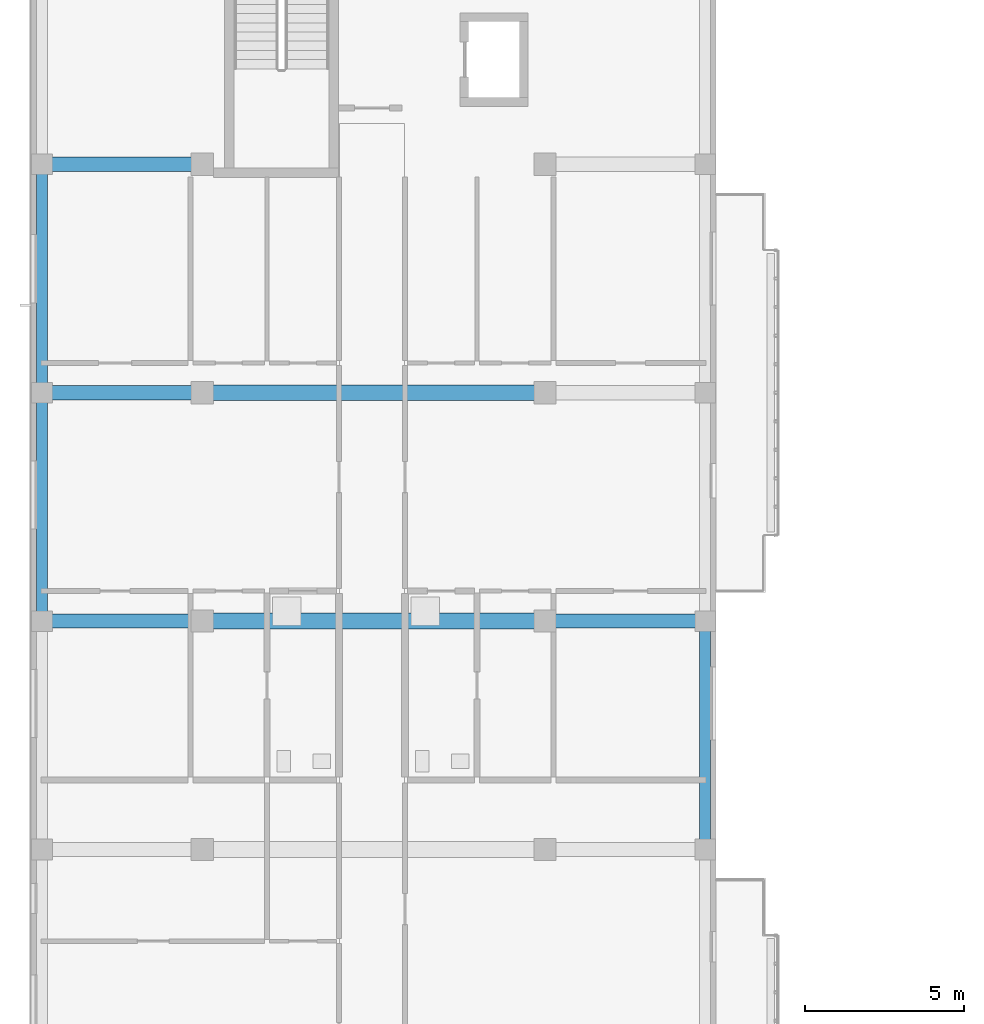
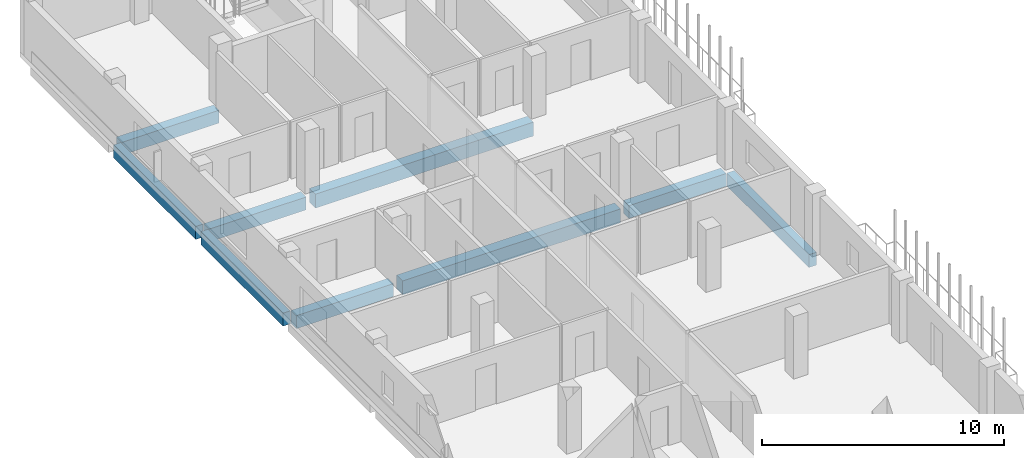
# One storey, part 12 of 51: 9 beams.
"""IFC4 building model written with IfcOpenShell, lengths in metres."""

from ifc_helpers import new_model, si_unit, derived_unit, direction, frame, origin, origin_2d, place, context, subcontext, project, spatial, rectangle, extrude, material, material_profile, profile_set, type_object, element, save


model = new_model("IFC4")

# Units and contexts
model_context = context("Model", 3, precision=1e-05, world=origin(), true_north=direction((0.0, 1.0)))
body_context = subcontext(model_context, "Body", "Model", "MODEL_VIEW")
ifc_project = project(units=[si_unit("LENGTHUNIT", "METRE"), si_unit("AREAUNIT", "SQUARE_METRE"), si_unit("VOLUMEUNIT", "CUBIC_METRE"), si_unit("PLANEANGLEUNIT", "RADIAN"), si_unit("MASSUNIT", "GRAM", prefix="KILO"), derived_unit("THERMALTRANSMITTANCEUNIT", [(si_unit("MASSUNIT", "GRAM", prefix="KILO"), 1), (si_unit("TIMEUNIT", "SECOND"), -3), (si_unit("THERMODYNAMICTEMPERATUREUNIT", "KELVIN"), -1)])], contexts=[model_context])

# Site, building, storey
site_placement = place(None, origin())
site = spatial("IfcSite", under=ifc_project, at=site_placement, CompositionType="ELEMENT")
building_placement = place(site_placement, origin())
building = spatial("IfcBuilding", under=site, at=building_placement, Name="Ochrekiln Boulevard Commons", CompositionType="ELEMENT")
storey_placement = place(building_placement, frame((0.0, 0.0, 18.375)))
storey = spatial("IfcBuildingStorey", under=building, at=storey_placement, Name="L05", CompositionType="ELEMENT", Elevation=18.375)

# Beams
ifc_material_1 = material(Name="Concrete C35/45", Category="concrete")
ifc_material_profile_1 = material_profile(ifc_material_1, rectangle(XDim=0.449951171875, YDim=0.64990234375, at=origin_2d()), Name="RC-BM-450x650")
ifc_profile_set_1 = profile_set([ifc_material_profile_1], Name="Concrete C35/45")
beam_type_1 = type_object("IfcBeamType", Name="BM-RC-450x650", PredefinedType="BEAM", material=ifc_profile_set_1)
beam_1_placement = place(storey_placement, frame((0.56005859375, 97.199951171875, -0.5849609375), z_axis=(1.0, 0.0, 0.0), x_axis=(0.0, 1.0, 0.0)))
element("IfcBeam", 1, at=beam_1_placement, inside=storey, type_object=beam_type_1, Name="Block A L05 Beam B-4565 X12", PredefinedType="BEAM", context=body_context, shape_type="SweptSolid", body=[
    extrude(rectangle(XDim=0.449951171875, YDim=0.64990234375, at=origin_2d()), origin(), (0.0, 0.0, 1.0), 4.6298828125),
])
beam_2_placement = place(storey_placement, frame((16.409912109375, 97.199951171875, -0.5849609375), z_axis=(1.0, 0.0, 0.0), x_axis=(0.0, 1.0, 0.0)))
element("IfcBeam", 2, at=beam_2_placement, inside=storey, type_object=beam_type_1, Name="Block A L05 Beam B-4565 X14", PredefinedType="BEAM", context=body_context, shape_type="SweptSolid", body=[
    extrude(rectangle(XDim=0.449951171875, YDim=0.64990234375, at=origin_2d()), origin(), (0.0, 0.0, 1.0), 4.630126953125),
])
for number, where, z_axis, x_axis, name in (
    (3, (0.56005859375, 104.39990234375, -0.5849609375), (1.0, 0.0, 0.0), (0.0, 1.0, 0.0), "Block A L05 Beam B-4565 X15"),
    (4, (0.56005859375, 111.60009765625, -0.5849609375), (1.0, 0.0, 0.0), (0.0, 1.0, 0.0), "Block A L05 Beam B-4565 X18"),
):
    element("IfcBeam", number, at=place(storey_placement, frame(where, z_axis=z_axis, x_axis=x_axis)), inside=storey, type_object=beam_type_1, Name=name, PredefinedType="BEAM", context=body_context, shape_type="SweptSolid", body=[
        extrude(rectangle(XDim=0.449951171875, YDim=0.64990234375, at=origin_2d()), origin(), (0.0, 0.0, 1.0), 4.6298828125),
    ])
ifc_material_2 = material(Name="Concrete C40/50", Category="concrete")
ifc_material_profile_2 = material_profile(ifc_material_2, rectangle(XDim=0.5, YDim=0.699951171875, at=origin_2d()), Name="RC-BM-500x700")
ifc_profile_set_2 = profile_set([ifc_material_profile_2], Name="Concrete C40/50")
beam_type_2 = type_object("IfcBeamType", Name="BM-RC-500x700", PredefinedType="BEAM", material=ifc_profile_set_2)
for number, where, z_axis, x_axis, name in (
    (5, (5.610107421875, 97.199951171875, -0.610107421875), (1.0, 0.0, 0.0), (0.0, 1.0, 0.0), "Block A L05 Beam B-5070 X13"),
    (6, (5.610107421875, 104.39990234375, -0.610107421875), (1.0, 0.0, 0.0), (0.0, 1.0, 0.0), "Block A L05 Beam B-5070 X16"),
):
    element("IfcBeam", number, at=place(storey_placement, frame(where, z_axis=z_axis, x_axis=x_axis)), inside=storey, type_object=beam_type_2, Name=name, PredefinedType="BEAM", context=body_context, shape_type="SweptSolid", body=[
        extrude(rectangle(XDim=0.5, YDim=0.699951171875, at=origin_2d()), origin(), (0.0, 0.0, 1.0), 10.3798828125),
    ])
ifc_material_profile_3 = material_profile(ifc_material_2, rectangle(XDim=0.35009765625, YDim=0.64990234375, at=origin_2d()), Name="RC-SPN-350x650")
ifc_profile_set_3 = profile_set([ifc_material_profile_3], Name="Concrete C40/50")
beam_type_3 = type_object("IfcBeamType", Name="SPN-RC-350x650", PredefinedType="SPANDREL", material=ifc_profile_set_3)
beam_3_placement = place(storey_placement, frame((0.35009765625, 97.409912109375, -0.5849609375), z_axis=(0.0, 1.0, 0.0), x_axis=(-1.0, 0.0, 0.0)))
element("IfcBeam", 7, at=beam_3_placement, inside=storey, type_object=beam_type_3, Name="Block A L05 Beam SP-3565 Y27", PredefinedType="SPANDREL", context=body_context, shape_type="SweptSolid", body=[
    extrude(rectangle(XDim=0.35009765625, YDim=0.64990234375, at=origin_2d()), origin(), (0.0, 0.0, 1.0), 6.780029296875),
])
beam_4_placement = place(storey_placement, frame((0.35009765625, 104.610107421875, -0.5849609375), z_axis=(0.0, 1.0, 0.0), x_axis=(-1.0, 0.0, 0.0)))
element("IfcBeam", 8, at=beam_4_placement, inside=storey, type_object=beam_type_3, Name="Block A L05 Beam SP-3565 Y28", PredefinedType="SPANDREL", context=body_context, shape_type="SweptSolid", body=[
    extrude(rectangle(XDim=0.35009765625, YDim=0.64990234375, at=origin_2d()), origin(), (0.0, 0.0, 1.0), 6.77978515625),
])
beam_5_placement = place(storey_placement, frame((21.25, 90.2099609375, -0.5849609375), z_axis=(0.0, 1.0, 0.0), x_axis=(-1.0, 0.0, 0.0)))
element("IfcBeam", 9, at=beam_5_placement, inside=storey, type_object=beam_type_3, Name="Block A L05 Beam SP-3565 Y33", PredefinedType="SPANDREL", context=body_context, shape_type="SweptSolid", body=[
    extrude(rectangle(XDim=0.35009765625, YDim=0.64990234375, at=origin_2d()), origin(), (0.0, 0.0, 1.0), 6.780029296875),
])

save(model, "model.ifc")
